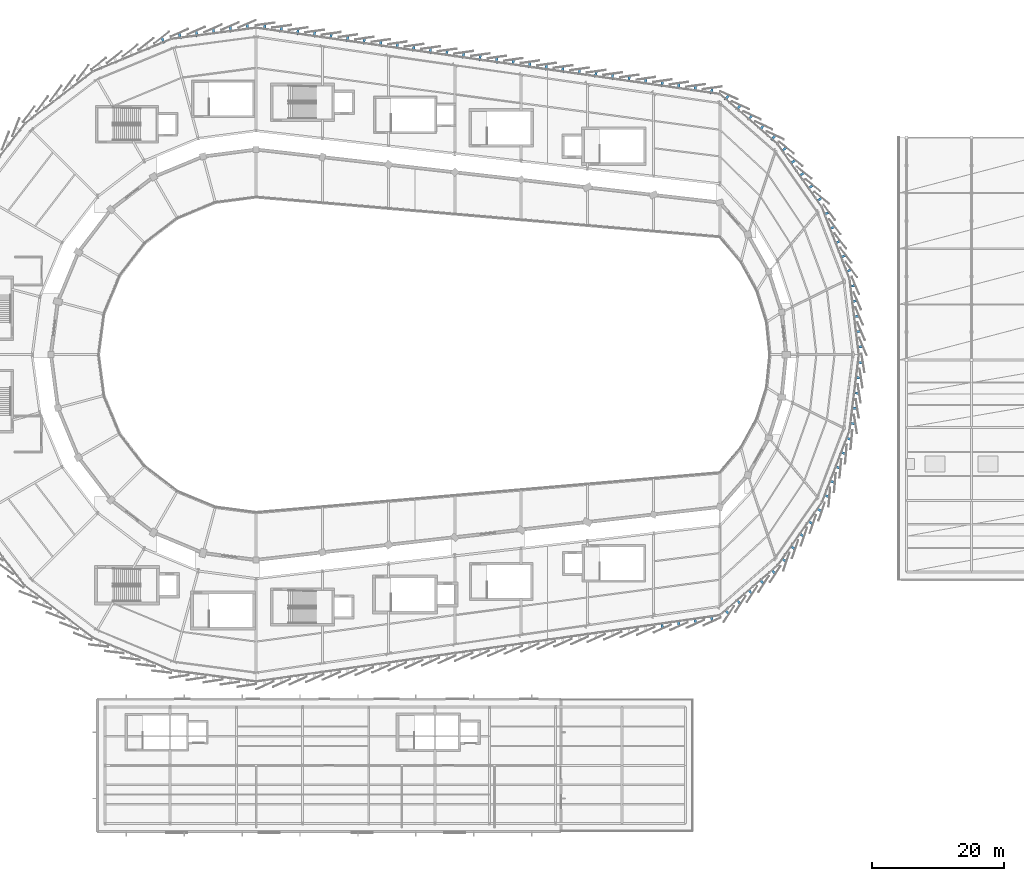
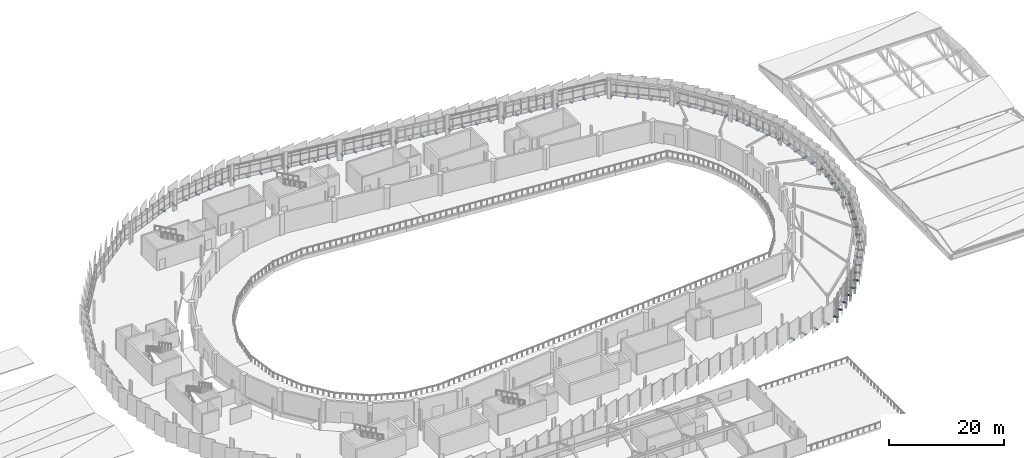
# One storey, part 81 of 87: 78 discrete accessories.
"""IFC4 building model written with IfcOpenShell, lengths in metres."""

from ifc_helpers import new_model, si_unit, direction, frame, origin, origin_2d, place, context, subcontext, project, spatial, rectangle, extrude, material, type_object, element, save


model = new_model("IFC4")

# Units and contexts
model_context = context("Model", 3, precision=1e-05, world=origin(), true_north=direction((0.0, 1.0)))
body_context = subcontext(model_context, "Body", "Model", "MODEL_VIEW")
ifc_project = project(units=[si_unit("LENGTHUNIT", "METRE"), si_unit("AREAUNIT", "SQUARE_METRE"), si_unit("VOLUMEUNIT", "CUBIC_METRE"), si_unit("PLANEANGLEUNIT", "RADIAN"), si_unit("MASSUNIT", "GRAM", prefix="KILO")], contexts=[model_context])

# Site, building, storey
site_placement = place(None, origin())
site = spatial("IfcSite", under=ifc_project, at=site_placement, CompositionType="ELEMENT")
building_placement = place(site_placement, origin())
building = spatial("IfcBuilding", under=site, at=building_placement, Name="Sohan Crest Arena", CompositionType="ELEMENT")
storey_placement = place(building_placement, frame((0.0, 0.0, 18.0)))
storey = spatial("IfcBuildingStorey", under=building, at=storey_placement, Name="L04", CompositionType="ELEMENT", Elevation=18.0)

# Discrete accessories
ifc_material = material(Name="Steel S355", Category="steel")
discrete_accessory_type = type_object("IfcDiscreteAccessoryType", Name="ARC-ACC-BRK1", PredefinedType="BRACKET", material=ifc_material)
for number, where, z_axis, x_axis, name in (
    (1, (96.680908203125, 127.4990234375, -0.22998046875), (0.0, 0.0, 1.0), (-0.991444861374, -0.13052619222, 0.0), "Ceramic scale carrier bracket BRK-0399"),
    (2, (94.1259765625, 127.1630859375, -0.22998046875), (0.0, 0.0, 1.0), (-0.991444861374, -0.13052619222, 0.0), "Ceramic scale carrier bracket BRK-0400"),
    (3, (91.572021484375, 126.825927734375, -0.22998046875), (0.0, 0.0, 1.0), (-0.991444861374, -0.13052619222, 0.0), "Ceramic scale carrier bracket BRK-0401"),
    (4, (89.01708984375, 126.489990234375, -0.22998046875), (0.0, 0.0, 1.0), (-0.991444861374, -0.13052619222, 0.0), "Ceramic scale carrier bracket BRK-0402"),
    (5, (86.462890625, 126.153076171875, -0.22998046875), (0.0, 0.0, 1.0), (-0.991444861374, -0.13052619222, 0.0), "Ceramic scale carrier bracket BRK-0403"),
    (6, (83.9140625, 125.470947265625, -0.22998046875), (0.0, 0.0, 1.0), (-0.923879532511, -0.382683432365, 0.0), "Ceramic scale carrier bracket BRK-0404"),
    (7, (159.294921875, 37.0830078125, -0.22998046875), (0.0, 0.0, 1.0), (0.990023657717, 0.140901231938, 0.0), "Ceramic scale carrier bracket BRK-0483"),
    (8, (161.794921875, 37.43994140625, -0.22998046875), (0.0, 0.0, 1.0), (0.990023657717, 0.140901231938, 0.0), "Ceramic scale carrier bracket BRK-0484"),
    (9, (164.294921875, 37.797119140625, -0.22998046875), (0.0, 0.0, 1.0), (0.990023657717, 0.140901231938, 0.0), "Ceramic scale carrier bracket BRK-0485"),
    (10, (166.794921875, 38.155029296875, -0.22998046875), (0.0, 0.0, 1.0), (0.990023657717, 0.140901231938, 0.0), "Ceramic scale carrier bracket BRK-0486"),
    (11, (169.0859375, 39.1650390625, -0.22998046875), (0.0, 0.0, 1.0), (0.756995055652, 0.65342060399, 0.0), "Ceramic scale carrier bracket BRK-0487"),
    (12, (170.839111328125, 40.678955078125, -0.22998046875), (0.0, 0.0, 1.0), (0.756995055652, 0.65342060399, 0.0), "Ceramic scale carrier bracket BRK-0488"),
    (13, (172.592041015625, 42.194091796875, -0.22998046875), (0.0, 0.0, 1.0), (0.756995055652, 0.65342060399, 0.0), "Ceramic scale carrier bracket BRK-0489"),
    (14, (174.344970703125, 43.7080078125, -0.22998046875), (0.0, 0.0, 1.0), (0.756995055652, 0.65342060399, 0.0), "Ceramic scale carrier bracket BRK-0490"),
    (15, (176.09912109375, 45.222900390625, -0.22998046875), (0.0, 0.0, 1.0), (0.756995055652, 0.65342060399, 0.0), "Ceramic scale carrier bracket BRK-0491"),
    (16, (177.694091796875, 46.985107421875, -0.22998046875), (0.0, 0.0, 1.0), (0.575005252043, 0.818149717425, 0.0), "Ceramic scale carrier bracket BRK-0492"),
    (17, (179.027099609375, 48.8798828125, -0.22998046875), (0.0, 0.0, 1.0), (0.575005252043, 0.818149717425, 0.0), "Ceramic scale carrier bracket BRK-0493"),
    (18, (180.360107421875, 50.77392578125, -0.22998046875), (0.0, 0.0, 1.0), (0.575005252043, 0.818149717425, 0.0), "Ceramic scale carrier bracket BRK-0494"),
    (19, (181.693115234375, 52.6689453125, -0.22998046875), (0.0, 0.0, 1.0), (0.575005252043, 0.818149717425, 0.0), "Ceramic scale carrier bracket BRK-0495"),
    (20, (183.02587890625, 54.56396484375, -0.22998046875), (0.0, 0.0, 1.0), (0.575005252043, 0.818149717425, 0.0), "Ceramic scale carrier bracket BRK-0496"),
    (21, (184.14599609375, 56.660888671875, -0.22998046875), (0.0, 0.0, 1.0), (0.35999680812, 0.932953534825, 0.0), "Ceramic scale carrier bracket BRK-0497"),
    (22, (184.97900390625, 58.822998046875, -0.22998046875), (0.0, 0.0, 1.0), (0.35999680812, 0.932953534825, 0.0), "Ceramic scale carrier bracket BRK-0498"),
    (23, (185.81298828125, 60.98388671875, -0.22998046875), (0.0, 0.0, 1.0), (0.35999680812, 0.932953534825, 0.0), "Ceramic scale carrier bracket BRK-0499"),
    (24, (186.64599609375, 63.14599609375, -0.22998046875), (0.0, 0.0, 1.0), (0.35999680812, 0.932953534825, 0.0), "Ceramic scale carrier bracket BRK-0500"),
    (25, (187.47900390625, 65.30810546875, -0.22998046875), (0.0, 0.0, 1.0), (0.35999680812, 0.932953534825, 0.0), "Ceramic scale carrier bracket BRK-0501"),
    (26, (188.055908203125, 67.614013671875, -0.22998046875), (0.0, 0.0, 1.0), (0.121869343405, 0.992546151641, 0.0), "Ceramic scale carrier bracket BRK-0502"),
    (27, (188.340087890625, 69.9140625, -0.22998046875), (0.0, 0.0, 1.0), (0.121869343405, 0.992546151641, 0.0), "Ceramic scale carrier bracket BRK-0503"),
    (28, (188.623046875, 72.212890625, -0.22998046875), (0.0, 0.0, 1.0), (0.121869343405, 0.992546151641, 0.0), "Ceramic scale carrier bracket BRK-0504"),
    (29, (188.906005859375, 74.511962890625, -0.22998046875), (0.0, 0.0, 1.0), (0.121869343405, 0.992546151641, 0.0), "Ceramic scale carrier bracket BRK-0505"),
    (30, (189.18994140625, 76.81103515625, -0.22998046875), (0.0, 0.0, 1.0), (0.121869343405, 0.992546151641, 0.0), "Ceramic scale carrier bracket BRK-0506"),
    (31, (189.18994140625, 79.18896484375, -0.22998046875), (0.0, 0.0, 1.0), (-0.121869343405, 0.992546151641, 0.0), "Ceramic scale carrier bracket BRK-0507"),
    (32, (188.906005859375, 81.488037109375, -0.22998046875), (0.0, 0.0, 1.0), (-0.121869343405, 0.992546151641, 0.0), "Ceramic scale carrier bracket BRK-0508"),
    (33, (188.623046875, 83.787109375, -0.22998046875), (0.0, 0.0, 1.0), (-0.121869343405, 0.992546151641, 0.0), "Ceramic scale carrier bracket BRK-0509"),
    (34, (188.340087890625, 86.0859375, -0.22998046875), (0.0, 0.0, 1.0), (-0.121869343405, 0.992546151641, 0.0), "Ceramic scale carrier bracket BRK-0510"),
    (35, (188.055908203125, 88.385986328125, -0.22998046875), (0.0, 0.0, 1.0), (-0.121869343405, 0.992546151641, 0.0), "Ceramic scale carrier bracket BRK-0511"),
    (36, (187.47900390625, 90.69189453125, -0.22998046875), (0.0, 0.0, 1.0), (-0.35999680812, 0.932953534825, 0.0), "Ceramic scale carrier bracket BRK-0512"),
    (37, (186.64599609375, 92.85400390625, -0.22998046875), (0.0, 0.0, 1.0), (-0.35999680812, 0.932953534825, 0.0), "Ceramic scale carrier bracket BRK-0513"),
    (38, (185.81298828125, 95.01611328125, -0.22998046875), (0.0, 0.0, 1.0), (-0.35999680812, 0.932953534825, 0.0), "Ceramic scale carrier bracket BRK-0514"),
    (39, (184.97900390625, 97.177001953125, -0.22998046875), (0.0, 0.0, 1.0), (-0.35999680812, 0.932953534825, 0.0), "Ceramic scale carrier bracket BRK-0515"),
    (40, (184.14599609375, 99.339111328125, -0.22998046875), (0.0, 0.0, 1.0), (-0.35999680812, 0.932953534825, 0.0), "Ceramic scale carrier bracket BRK-0516"),
    (41, (183.02587890625, 101.43603515625, -0.22998046875), (0.0, 0.0, 1.0), (-0.575005252043, 0.818149717425, 0.0), "Ceramic scale carrier bracket BRK-0517"),
    (42, (181.693115234375, 103.3310546875, -0.22998046875), (0.0, 0.0, 1.0), (-0.575005252043, 0.818149717425, 0.0), "Ceramic scale carrier bracket BRK-0518"),
    (43, (180.360107421875, 105.22607421875, -0.22998046875), (0.0, 0.0, 1.0), (-0.575005252043, 0.818149717425, 0.0), "Ceramic scale carrier bracket BRK-0519"),
    (44, (179.027099609375, 107.1201171875, -0.22998046875), (0.0, 0.0, 1.0), (-0.575005252043, 0.818149717425, 0.0), "Ceramic scale carrier bracket BRK-0520"),
    (45, (177.694091796875, 109.014892578125, -0.22998046875), (0.0, 0.0, 1.0), (-0.575005252043, 0.818149717425, 0.0), "Ceramic scale carrier bracket BRK-0521"),
    (46, (176.09912109375, 110.777099609375, -0.22998046875), (0.0, 0.0, 1.0), (-0.756995055652, 0.65342060399, 0.0), "Ceramic scale carrier bracket BRK-0522"),
    (47, (174.344970703125, 112.2919921875, -0.22998046875), (0.0, 0.0, 1.0), (-0.756995055652, 0.65342060399, 0.0), "Ceramic scale carrier bracket BRK-0523"),
    (48, (172.592041015625, 113.805908203125, -0.22998046875), (0.0, 0.0, 1.0), (-0.756995055652, 0.65342060399, 0.0), "Ceramic scale carrier bracket BRK-0524"),
    (49, (170.839111328125, 115.321044921875, -0.22998046875), (0.0, 0.0, 1.0), (-0.756995055652, 0.65342060399, 0.0), "Ceramic scale carrier bracket BRK-0525"),
    (50, (169.0859375, 116.8349609375, -0.22998046875), (0.0, 0.0, 1.0), (-0.756995055652, 0.65342060399, 0.0), "Ceramic scale carrier bracket BRK-0526"),
    (51, (166.794921875, 117.844970703125, -0.22998046875), (0.0, 0.0, 1.0), (-0.990023657717, 0.140901231938, 0.0), "Ceramic scale carrier bracket BRK-0527"),
    (52, (164.294921875, 118.202880859375, -0.22998046875), (0.0, 0.0, 1.0), (-0.990023657717, 0.140901231938, 0.0), "Ceramic scale carrier bracket BRK-0528"),
    (53, (161.794921875, 118.56005859375, -0.22998046875), (0.0, 0.0, 1.0), (-0.990023657717, 0.140901231938, 0.0), "Ceramic scale carrier bracket BRK-0529"),
    (54, (159.294921875, 118.9169921875, -0.22998046875), (0.0, 0.0, 1.0), (-0.990023657717, 0.140901231938, 0.0), "Ceramic scale carrier bracket BRK-0530"),
    (55, (156.794921875, 119.27392578125, -0.22998046875), (0.0, 0.0, 1.0), (-0.990023657717, 0.140901231938, 0.0), "Ceramic scale carrier bracket BRK-0531"),
    (56, (154.294921875, 119.631103515625, -0.22998046875), (0.0, 0.0, 1.0), (-0.990023657717, 0.140901231938, 0.0), "Ceramic scale carrier bracket BRK-0532"),
    (57, (151.794921875, 119.988037109375, -0.22998046875), (0.0, 0.0, 1.0), (-0.990023657717, 0.140901231938, 0.0), "Ceramic scale carrier bracket BRK-0533"),
    (58, (149.294921875, 120.344970703125, -0.22998046875), (0.0, 0.0, 1.0), (-0.990023657717, 0.140901231938, 0.0), "Ceramic scale carrier bracket BRK-0534"),
    (59, (146.794921875, 120.701904296875, -0.22998046875), (0.0, 0.0, 1.0), (-0.990023657717, 0.140901231938, 0.0), "Ceramic scale carrier bracket BRK-0535"),
    (60, (144.294921875, 121.06005859375, -0.22998046875), (0.0, 0.0, 1.0), (-0.990023657717, 0.140901231938, 0.0), "Ceramic scale carrier bracket BRK-0536"),
    (61, (141.794921875, 121.4169921875, -0.22998046875), (0.0, 0.0, 1.0), (-0.990023657717, 0.140901231938, 0.0), "Ceramic scale carrier bracket BRK-0537"),
    (62, (139.294921875, 121.77392578125, -0.22998046875), (0.0, 0.0, 1.0), (-0.990023657717, 0.140901231938, 0.0), "Ceramic scale carrier bracket BRK-0538"),
    (63, (136.794921875, 122.131103515625, -0.22998046875), (0.0, 0.0, 1.0), (-0.990023657717, 0.140901231938, 0.0), "Ceramic scale carrier bracket BRK-0539"),
    (64, (134.294921875, 122.488037109375, -0.22998046875), (0.0, 0.0, 1.0), (-0.990023657717, 0.140901231938, 0.0), "Ceramic scale carrier bracket BRK-0540"),
    (65, (131.794921875, 122.844970703125, -0.22998046875), (0.0, 0.0, 1.0), (-0.990023657717, 0.140901231938, 0.0), "Ceramic scale carrier bracket BRK-0541"),
    (66, (129.294921875, 123.201904296875, -0.22998046875), (0.0, 0.0, 1.0), (-0.990023657717, 0.140901231938, 0.0), "Ceramic scale carrier bracket BRK-0542"),
    (67, (126.794921875, 123.55908203125, -0.22998046875), (0.0, 0.0, 1.0), (-0.990023657717, 0.140901231938, 0.0), "Ceramic scale carrier bracket BRK-0543"),
    (68, (124.294921875, 123.9169921875, -0.22998046875), (0.0, 0.0, 1.0), (-0.990023657717, 0.140901231938, 0.0), "Ceramic scale carrier bracket BRK-0544"),
    (69, (121.794921875, 124.27392578125, -0.22998046875), (0.0, 0.0, 1.0), (-0.990023657717, 0.140901231938, 0.0), "Ceramic scale carrier bracket BRK-0545"),
    (70, (119.294921875, 124.631103515625, -0.22998046875), (0.0, 0.0, 1.0), (-0.990023657717, 0.140901231938, 0.0), "Ceramic scale carrier bracket BRK-0546"),
    (71, (116.794921875, 124.988037109375, -0.22998046875), (0.0, 0.0, 1.0), (-0.990023657717, 0.140901231938, 0.0), "Ceramic scale carrier bracket BRK-0547"),
    (72, (114.294921875, 125.344970703125, -0.22998046875), (0.0, 0.0, 1.0), (-0.990023657717, 0.140901231938, 0.0), "Ceramic scale carrier bracket BRK-0548"),
    (73, (111.794921875, 125.701904296875, -0.22998046875), (0.0, 0.0, 1.0), (-0.990023657717, 0.140901231938, 0.0), "Ceramic scale carrier bracket BRK-0549"),
    (74, (109.294921875, 126.05908203125, -0.22998046875), (0.0, 0.0, 1.0), (-0.990023657717, 0.140901231938, 0.0), "Ceramic scale carrier bracket BRK-0550"),
    (75, (106.794921875, 126.416015625, -0.22998046875), (0.0, 0.0, 1.0), (-0.990023657717, 0.140901231938, 0.0), "Ceramic scale carrier bracket BRK-0551"),
    (76, (104.294921875, 126.77392578125, -0.22998046875), (0.0, 0.0, 1.0), (-0.990023657717, 0.140901231938, 0.0), "Ceramic scale carrier bracket BRK-0552"),
    (77, (101.794921875, 127.131103515625, -0.22998046875), (0.0, 0.0, 1.0), (-0.990023657717, 0.140901231938, 0.0), "Ceramic scale carrier bracket BRK-0553"),
    (78, (99.294921875, 127.488037109375, -0.22998046875), (0.0, 0.0, 1.0), (-0.990023657717, 0.140901231938, 0.0), "Ceramic scale carrier bracket BRK-0554"),
):
    element("IfcDiscreteAccessory", number, at=place(storey_placement, frame(where, z_axis=z_axis, x_axis=x_axis)), inside=storey, type_object=discrete_accessory_type, Name=name, PredefinedType="BRACKET", context=body_context, shape_type="SweptSolid", body=[
        extrude(rectangle(XDim=0.35009765625, YDim=0.9599609375, at=origin_2d()), origin(), (0.0, 0.0, 1.0), 0.219970703125),
    ])

save(model, "model.ifc")
